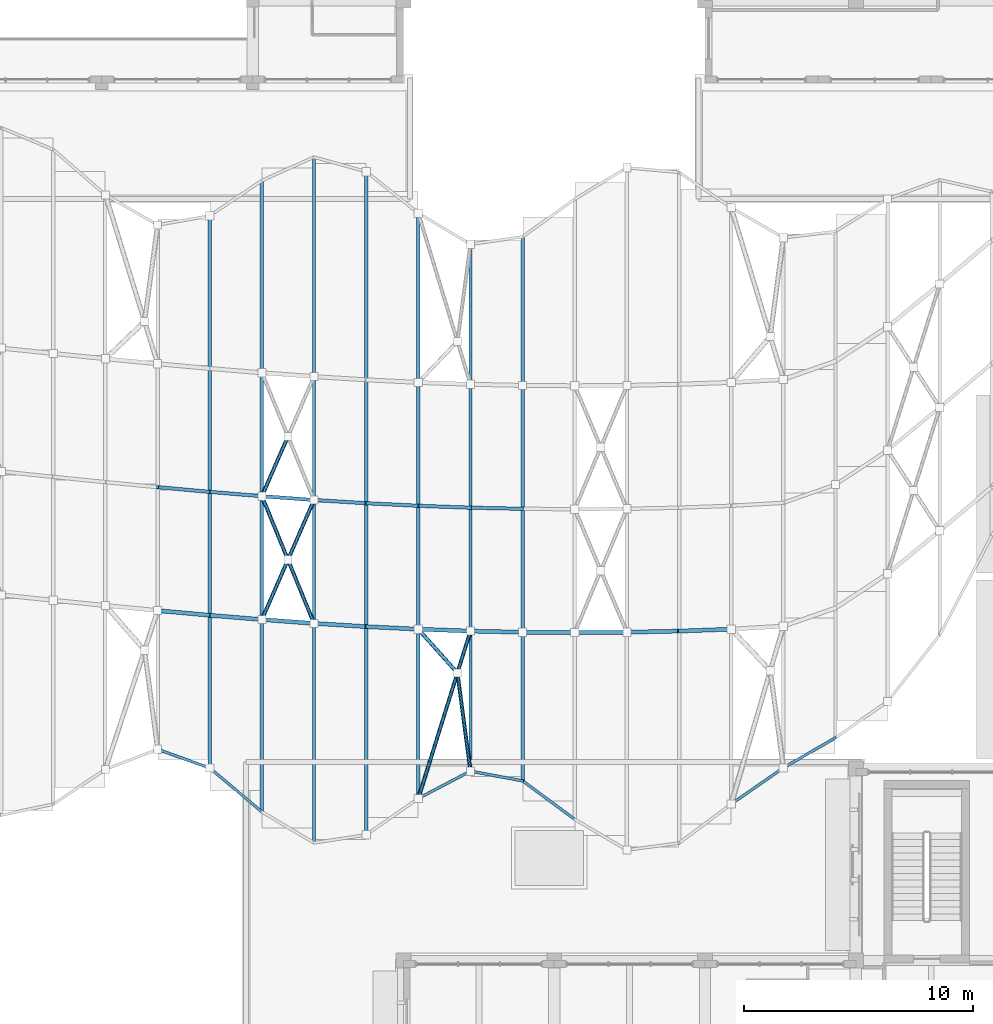
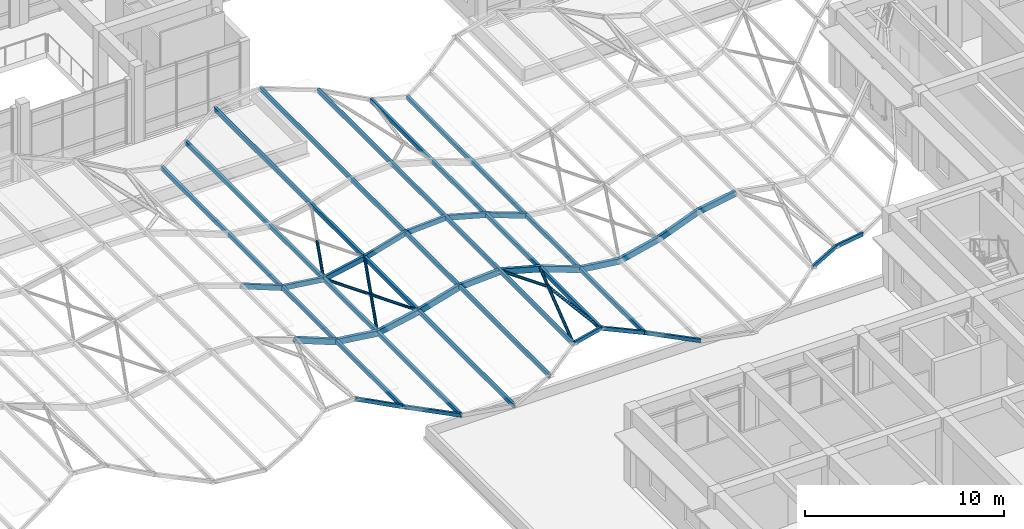
# One storey, part 16 of 79: 39 members.
"""IFC4 building model written with IfcOpenShell, lengths in metres."""

from ifc_helpers import new_model, si_unit, direction, frame, origin, origin_2d, place, context, subcontext, project, spatial, hollow_rectangle, hollow_circle, extrude, material, material_profile, profile_set, type_object, element, save


model = new_model("IFC4")

# Units and contexts
model_context = context("Model", 3, precision=1e-05, world=origin(), true_north=direction((0.0, 1.0)))
body_context = subcontext(model_context, "Body", "Model", "MODEL_VIEW")
ifc_project = project(units=[si_unit("LENGTHUNIT", "METRE"), si_unit("AREAUNIT", "SQUARE_METRE"), si_unit("VOLUMEUNIT", "CUBIC_METRE"), si_unit("PLANEANGLEUNIT", "RADIAN"), si_unit("MASSUNIT", "GRAM", prefix="KILO")], contexts=[model_context])

# Site, building, storey
site_placement = place(None, origin())
site = spatial("IfcSite", under=ifc_project, at=site_placement, CompositionType="ELEMENT")
building_placement = place(site_placement, origin())
building = spatial("IfcBuilding", under=site, at=building_placement, Name="Kolvaren Faculty of Natural Sciences", CompositionType="ELEMENT")
storey_placement = place(building_placement, frame((0.0, 0.0, 10.199951171875)))
storey = spatial("IfcBuildingStorey", under=building, at=storey_placement, Name="L02", CompositionType="ELEMENT", Elevation=10.199951171875)

# Members
ifc_material = material(Name="Structural steel EN 10210-1 S355J2H (white architectural finish)", Category="steel")
ifc_material_profile_1 = material_profile(ifc_material, hollow_circle(Radius=0.084228515625, WallThickness=0.008056640625, at=origin_2d()), Name="CHS 168.3x8")
ifc_profile_set_1 = profile_set([ifc_material_profile_1], Name="Structural steel EN 10210-1 S355J2H (white architectural finish)")
member_type_1 = type_object("IfcMemberType", Name="CanopyGridCrossBrace_CHS168", PredefinedType="BRACE", material=ifc_profile_set_1)
member_1_placement = place(storey_placement, frame((99.609130859375, 48.719482421875, 2.417724609375), z_axis=(0.397364040396, 0.911394775296, 0.107057848675), x_axis=(-0.916663027164, 0.399660974616, 0.0)))
element("IfcMember", 1, at=member_1_placement, inside=storey, type_object=member_type_1, Name="Canopy X-brace continuous diagonal S2-28-A", PredefinedType="BRACE", context=body_context, shape_type="SweptSolid", body=[
    extrude(hollow_circle(Radius=0.084228515625, WallThickness=0.008056640625, at=origin_2d()), origin(), (0.0, 0.0, 1.0), 5.7421875),
])
for number, where, z_axis, x_axis, name in (
    (2, (99.609130859375, 54.119384765625, 2.417724609375), (0.377318907826, -0.920486956819, 0.1016572876), (0.92528039128, 0.379283795478, 0.0), "Canopy X-brace split diagonal S2-28-B1"),
    (3, (100.75, 51.336181640625, 2.72509765625), (0.377318907826, -0.920486956819, 0.1016572876), (0.92528039128, 0.379283795478, 0.0), "Canopy X-brace split diagonal S2-28-B2"),
):
    element("IfcMember", number, at=place(storey_placement, frame(where, z_axis=z_axis, x_axis=x_axis)), inside=storey, type_object=member_type_1, Name=name, PredefinedType="BRACE", context=body_context, shape_type="SweptSolid", body=[
        extrude(hollow_circle(Radius=0.084228515625, WallThickness=0.008056640625, at=origin_2d()), origin(), (0.0, 0.0, 1.0), 3.023681640625),
    ])
member_2_placement = place(storey_placement, frame((99.609130859375, 54.119384765625, 2.417724609375), z_axis=(0.397364040396, 0.911394775296, 0.107057848675), x_axis=(-0.916663027164, 0.399660974616, 0.0)))
element("IfcMember", 4, at=member_2_placement, inside=storey, type_object=member_type_1, Name="Canopy X-brace split diagonal N2-28-B1", PredefinedType="BRACE", context=body_context, shape_type="SweptSolid", body=[
    extrude(hollow_circle(Radius=0.084228515625, WallThickness=0.008056640625, at=origin_2d()), origin(), (0.0, 0.0, 1.0), 2.87109375),
])
member_3_placement = place(storey_placement, frame((106.45458984375, 40.892333984375, 4.048828125), z_axis=(0.296594659929, 0.952079648248, -0.074672291335), x_axis=(-0.954745175357, 0.297425032795, 0.0)))
element("IfcMember", 5, at=member_3_placement, inside=storey, type_object=member_type_1, Name="Canopy X-brace continuous diagonal S1-31-A", PredefinedType="BRACE", context=body_context, shape_type="SweptSolid", body=[
    extrude(hollow_circle(Radius=0.084228515625, WallThickness=0.008056640625, at=origin_2d()), origin(), (0.0, 0.0, 1.0), 7.693115234375),
])
member_4_placement = place(storey_placement, frame((106.45458984375, 48.299072265625, 4.048828125), z_axis=(0.657497931249, -0.735065804165, -0.165453117079), x_axis=(0.745338312794, 0.666686432651, 0.0)))
element("IfcMember", 6, at=member_4_placement, inside=storey, type_object=member_type_1, Name="Canopy X-brace split diagonal S1-31-B1", PredefinedType="BRACE", context=body_context, shape_type="SweptSolid", body=[
    extrude(hollow_circle(Radius=0.084228515625, WallThickness=0.008056640625, at=origin_2d()), origin(), (0.0, 0.0, 1.0), 2.60302734375),
])
member_5_placement = place(storey_placement, frame((108.166015625, 46.3857421875, 3.6181640625), z_axis=(0.13146439429, -0.990766550293, -0.033147486403), x_axis=(0.991311304522, 0.131536677499, 0.0)))
element("IfcMember", 7, at=member_5_placement, inside=storey, type_object=member_type_1, Name="Canopy X-brace split diagonal S1-31-B2", PredefinedType="BRACE", context=body_context, shape_type="SweptSolid", body=[
    extrude(hollow_circle(Radius=0.084228515625, WallThickness=0.008056640625, at=origin_2d()), origin(), (0.0, 0.0, 1.0), 4.338134765625),
])
ifc_material_profile_2 = material_profile(ifc_material, hollow_rectangle(XDim=0.14990234375, YDim=0.300048828125, WallThickness=0.010009765625, at=origin_2d()), Name="RHS 300x150x10")
ifc_profile_set_2 = profile_set([ifc_material_profile_2], Name="Structural steel EN 10210-1 S355J2H (white architectural finish)")
member_type_2 = type_object("IfcMemberType", Name="CanopyRidgeChord_RHS300", PredefinedType="PURLIN", material=ifc_profile_set_2)
member_6_placement = place(storey_placement, frame((95.04541015625, 54.5146484375, 3.334716796875), z_axis=(0.94260283035, -0.085416133231, -0.322806425586), x_axis=(0.090247534243, 0.995919365493, 0.0)))
element("IfcMember", 8, at=member_6_placement, inside=storey, type_object=member_type_2, Name="Covered street wave canopy ridge chord 26", PredefinedType="PURLIN", context=body_context, shape_type="SweptSolid", body=[
    extrude(hollow_rectangle(XDim=0.14990234375, YDim=0.300048828125, WallThickness=0.010009765625, at=origin_2d()), origin(), (0.0, 0.0, 1.0), 2.4208984375),
])
member_7_placement = place(storey_placement, frame((97.327392578125, 54.307861328125, 2.55322265625), z_axis=(0.99416897444, -0.082120527313, -0.069887547208), x_axis=(0.082321814352, 0.996605799141, 0.0)))
element("IfcMember", 9, at=member_7_placement, inside=storey, type_object=member_type_2, Name="Covered street wave canopy ridge chord 27", PredefinedType="PURLIN", context=body_context, shape_type="SweptSolid", body=[
    extrude(hollow_rectangle(XDim=0.14990234375, YDim=0.300048828125, WallThickness=0.010009765625, at=origin_2d()), origin(), (0.0, 0.0, 1.0), 2.295166015625),
])
member_8_placement = place(storey_placement, frame((99.609130859375, 54.119384765625, 2.392822265625), z_axis=(0.963181909793, -0.0702856904, 0.259500540216), x_axis=(0.072778879193, 0.997348101088, 0.0)))
element("IfcMember", 10, at=member_8_placement, inside=storey, type_object=member_type_2, Name="Covered street wave canopy ridge chord 28", PredefinedType="PURLIN", context=body_context, shape_type="SweptSolid", body=[
    extrude(hollow_rectangle(XDim=0.14990234375, YDim=0.300048828125, WallThickness=0.010009765625, at=origin_2d()), origin(), (0.0, 0.0, 1.0), 2.368896484375),
])
member_9_placement = place(storey_placement, frame((101.890869140625, 53.952880859375, 3.007568359375), z_axis=(0.942137719081, -0.058165361, 0.330141347099), x_axis=(0.061620319415, 0.998099662476, 0.0)))
element("IfcMember", 11, at=member_9_placement, inside=storey, type_object=member_type_2, Name="Covered street wave canopy ridge chord 29", PredefinedType="PURLIN", context=body_context, shape_type="SweptSolid", body=[
    extrude(hollow_rectangle(XDim=0.14990234375, YDim=0.300048828125, WallThickness=0.010009765625, at=origin_2d()), origin(), (0.0, 0.0, 1.0), 2.421875),
])
member_10_placement = place(storey_placement, frame((104.172607421875, 53.81201171875, 3.80712890625), z_axis=(0.994314457559, -0.049146600983, 0.094463596695), x_axis=(0.049367356177, 0.998780688712, 0.0)))
element("IfcMember", 12, at=member_10_placement, inside=storey, type_object=member_type_2, Name="Covered street wave canopy ridge chord 30", PredefinedType="PURLIN", context=body_context, shape_type="SweptSolid", body=[
    extrude(hollow_rectangle(XDim=0.14990234375, YDim=0.300048828125, WallThickness=0.010009765625, at=origin_2d()), origin(), (0.0, 0.0, 1.0), 2.294921875),
])
member_11_placement = place(storey_placement, frame((106.45458984375, 53.69921875, 4.02392578125), z_axis=(0.969142510069, -0.035049236936, -0.243996610977), x_axis=(0.036141576907, 0.999346679796, 0.0)))
element("IfcMember", 13, at=member_11_placement, inside=storey, type_object=member_type_2, Name="Covered street wave canopy ridge chord 31", PredefinedType="PURLIN", context=body_context, shape_type="SweptSolid", body=[
    extrude(hollow_rectangle(XDim=0.14990234375, YDim=0.300048828125, WallThickness=0.010009765625, at=origin_2d()), origin(), (0.0, 0.0, 1.0), 2.3544921875),
])
member_12_placement = place(storey_placement, frame((108.736328125, 53.61669921875, 3.449462890625), z_axis=(0.941677401727, -0.02055228308, -0.335888783284), x_axis=(0.021819988318, 0.999761915713, 0.0)))
element("IfcMember", 14, at=member_12_placement, inside=storey, type_object=member_type_2, Name="Covered street wave canopy ridge chord 32", PredefinedType="PURLIN", context=body_context, shape_type="SweptSolid", body=[
    extrude(hollow_rectangle(XDim=0.14990234375, YDim=0.300048828125, WallThickness=0.010009765625, at=origin_2d()), origin(), (0.0, 0.0, 1.0), 2.42333984375),
])
ifc_material_profile_3 = material_profile(ifc_material, hollow_rectangle(XDim=0.175048828125, YDim=0.35009765625, WallThickness=0.012451171875, at=origin_2d()), Name="RHS 350x175x12.5")
ifc_profile_set_3 = profile_set([ifc_material_profile_3], Name="Structural steel EN 10210-1 S355J2H (white architectural finish)")
member_type_3 = type_object("IfcMemberType", Name="CanopySpineChord_RHS350", PredefinedType="PURLIN", material=ifc_profile_set_3)
member_13_placement = place(storey_placement, frame((95.04541015625, 49.114501953125, 3.309814453125), z_axis=(0.942580255907, -0.085313244517, -0.322899537757), x_axis=(0.090141850898, 0.99592893658, 0.0)))
element("IfcMember", 15, at=member_13_placement, inside=storey, type_object=member_type_3, Name="Covered street wave canopy s-spine chord 26", PredefinedType="PURLIN", context=body_context, shape_type="SweptSolid", body=[
    extrude(hollow_rectangle(XDim=0.175048828125, YDim=0.35009765625, WallThickness=0.012451171875, at=origin_2d()), origin(), (0.0, 0.0, 1.0), 2.4208984375),
])
member_14_placement = place(storey_placement, frame((97.327392578125, 48.907958984375, 2.528076171875), z_axis=(0.99416897444, -0.082120527313, -0.069887547208), x_axis=(0.082321814352, 0.996605799141, 0.0)))
element("IfcMember", 16, at=member_14_placement, inside=storey, type_object=member_type_3, Name="Covered street wave canopy s-spine chord 27", PredefinedType="PURLIN", context=body_context, shape_type="SweptSolid", body=[
    extrude(hollow_rectangle(XDim=0.175048828125, YDim=0.35009765625, WallThickness=0.012451171875, at=origin_2d()), origin(), (0.0, 0.0, 1.0), 2.295166015625),
])
member_15_placement = place(storey_placement, frame((99.609130859375, 48.719482421875, 2.36767578125), z_axis=(0.963156146704, -0.070283810406, 0.259596654563), x_axis=(0.072778879193, 0.997348101088, 0.0)))
element("IfcMember", 17, at=member_15_placement, inside=storey, type_object=member_type_3, Name="Covered street wave canopy s-spine chord 28", PredefinedType="PURLIN", context=body_context, shape_type="SweptSolid", body=[
    extrude(hollow_rectangle(XDim=0.175048828125, YDim=0.35009765625, WallThickness=0.012451171875, at=origin_2d()), origin(), (0.0, 0.0, 1.0), 2.369140625),
])
member_16_placement = place(storey_placement, frame((101.890869140625, 48.552978515625, 2.982666015625), z_axis=(0.942132190168, -0.058265825585, 0.330139409672), x_axis=(0.061726707173, 0.998093088655, 0.0)))
element("IfcMember", 18, at=member_16_placement, inside=storey, type_object=member_type_3, Name="Covered street wave canopy s-spine chord 29", PredefinedType="PURLIN", context=body_context, shape_type="SweptSolid", body=[
    extrude(hollow_rectangle(XDim=0.175048828125, YDim=0.35009765625, WallThickness=0.012451171875, at=origin_2d()), origin(), (0.0, 0.0, 1.0), 2.421875),
])
member_17_placement = place(storey_placement, frame((104.172607421875, 48.411865234375, 3.7822265625), z_axis=(0.994324443792, -0.049147094579, 0.094358166432), x_axis=(0.049367356177, 0.998780688712, 0.0)))
element("IfcMember", 19, at=member_17_placement, inside=storey, type_object=member_type_3, Name="Covered street wave canopy s-spine chord 30", PredefinedType="PURLIN", context=body_context, shape_type="SweptSolid", body=[
    extrude(hollow_rectangle(XDim=0.175048828125, YDim=0.35009765625, WallThickness=0.012451171875, at=origin_2d()), origin(), (0.0, 0.0, 1.0), 2.294921875),
])
member_18_placement = place(storey_placement, frame((106.45458984375, 48.299072265625, 3.998779296875), z_axis=(0.969170543903, -0.034946551818, -0.243899969961), x_axis=(0.036034788217, 0.999350536117, 0.0)))
element("IfcMember", 20, at=member_18_placement, inside=storey, type_object=member_type_3, Name="Covered street wave canopy s-spine chord 31", PredefinedType="PURLIN", context=body_context, shape_type="SweptSolid", body=[
    extrude(hollow_rectangle(XDim=0.175048828125, YDim=0.35009765625, WallThickness=0.012451171875, at=origin_2d()), origin(), (0.0, 0.0, 1.0), 2.354248046875),
])
member_19_placement = place(storey_placement, frame((108.736328125, 48.216796875, 3.424560546875), z_axis=(0.941675447145, -0.020652986698, -0.335888086101), x_axis=(0.021926897745, 0.999759576676, 0.0)))
element("IfcMember", 21, at=member_19_placement, inside=storey, type_object=member_type_3, Name="Covered street wave canopy s-spine chord 32", PredefinedType="PURLIN", context=body_context, shape_type="SweptSolid", body=[
    extrude(hollow_rectangle(XDim=0.175048828125, YDim=0.35009765625, WallThickness=0.012451171875, at=origin_2d()), origin(), (0.0, 0.0, 1.0), 2.42333984375),
])
member_20_placement = place(storey_placement, frame((111.018310546875, 48.166748046875, 2.610595703125), z_axis=(0.992956839852, -0.00733083907, -0.118249621523), x_axis=(0.00738263638, 0.999972747969, 0.0)))
element("IfcMember", 22, at=member_20_placement, inside=storey, type_object=member_type_3, Name="Covered street wave canopy s-spine chord 33", PredefinedType="PURLIN", context=body_context, shape_type="SweptSolid", body=[
    extrude(hollow_rectangle(XDim=0.175048828125, YDim=0.35009765625, WallThickness=0.012451171875, at=origin_2d()), origin(), (0.0, 0.0, 1.0), 2.2978515625),
])
member_21_placement = place(storey_placement, frame((113.300048828125, 48.14990234375, 2.3388671875), z_axis=(0.973948080995, 0.007190500491, 0.226657080694), x_axis=(-0.00738263638, 0.999972747969, 0.0)))
element("IfcMember", 23, at=member_21_placement, inside=storey, type_object=member_type_3, Name="Covered street wave canopy s-spine chord 34", PredefinedType="PURLIN", context=body_context, shape_type="SweptSolid", body=[
    extrude(hollow_rectangle(XDim=0.175048828125, YDim=0.35009765625, WallThickness=0.012451171875, at=origin_2d()), origin(), (0.0, 0.0, 1.0), 2.3427734375),
])
member_22_placement = place(storey_placement, frame((115.581787109375, 48.166748046875, 2.869873046875), z_axis=(0.940319886822, 0.020625462957, 0.339666160701), x_axis=(-0.021929242743, 0.999759525242, 0.0)))
element("IfcMember", 24, at=member_22_placement, inside=storey, type_object=member_type_3, Name="Covered street wave canopy s-spine chord 35", PredefinedType="PURLIN", context=body_context, shape_type="SweptSolid", body=[
    extrude(hollow_rectangle(XDim=0.175048828125, YDim=0.35009765625, WallThickness=0.012451171875, at=origin_2d()), origin(), (0.0, 0.0, 1.0), 2.426513671875),
])
member_23_placement = place(storey_placement, frame((117.863525390625, 48.216796875, 3.694091796875), z_axis=(0.989338557345, 0.035669957615, 0.141197992457), x_axis=(-0.036030937997, 0.999350674942, 0.0)))
element("IfcMember", 25, at=member_23_placement, inside=storey, type_object=member_type_3, Name="Covered street wave canopy s-spine chord 36", PredefinedType="PURLIN", context=body_context, shape_type="SweptSolid", body=[
    extrude(hollow_rectangle(XDim=0.175048828125, YDim=0.35009765625, WallThickness=0.012451171875, at=origin_2d()), origin(), (0.0, 0.0, 1.0), 2.306640625),
])
ifc_material_profile_4 = material_profile(ifc_material, hollow_rectangle(XDim=0.14990234375, YDim=0.25, WallThickness=0.010009765625, at=origin_2d()), Name="RHS 250x150x10")
ifc_profile_set_4 = profile_set([ifc_material_profile_4], Name="Structural steel EN 10210-1 S355J2H (white architectural finish)")
member_type_4 = type_object("IfcMemberType", Name="CanopyTransverseRafter_RHS250", PredefinedType="RAFTER", material=ifc_profile_set_4)
member_24_placement = place(storey_placement, frame((97.327392578125, 42.2255859375, 2.578125), z_axis=(0.0, 1.0, 0.0), x_axis=(-1.0, 0.0, 0.0)))
element("IfcMember", 26, at=member_24_placement, inside=storey, type_object=member_type_4, Name="Covered street canopy transverse rafter 27", PredefinedType="RAFTER", context=body_context, shape_type="SweptSolid", body=[
    extrude(hollow_rectangle(XDim=0.14990234375, YDim=0.25, WallThickness=0.010009765625, at=origin_2d()), origin(), (0.0, 0.0, 1.0), 24.164794921875),
])
member_25_placement = place(storey_placement, frame((99.609130859375, 40.306396484375, 2.417724609375), z_axis=(0.0, 1.0, 0.0), x_axis=(-1.0, 0.0, 0.0)))
element("IfcMember", 27, at=member_25_placement, inside=storey, type_object=member_type_4, Name="Covered street canopy transverse rafter 28", PredefinedType="RAFTER", context=body_context, shape_type="SweptSolid", body=[
    extrude(hollow_rectangle(XDim=0.14990234375, YDim=0.25, WallThickness=0.010009765625, at=origin_2d()), origin(), (0.0, 0.0, 1.0), 27.626220703125),
])
member_26_placement = place(storey_placement, frame((101.890869140625, 38.94970703125, 3.032470703125), z_axis=(0.0, 1.0, 0.0), x_axis=(-1.0, 0.0, 0.0)))
element("IfcMember", 28, at=member_26_placement, inside=storey, type_object=member_type_4, Name="Covered street canopy transverse rafter 29", PredefinedType="RAFTER", context=body_context, shape_type="SweptSolid", body=[
    extrude(hollow_rectangle(XDim=0.14990234375, YDim=0.25, WallThickness=0.010009765625, at=origin_2d()), origin(), (0.0, 0.0, 1.0), 30.006591796875),
])
member_27_placement = place(storey_placement, frame((104.172607421875, 39.302001953125, 3.83203125), z_axis=(0.0, 1.0, 0.0), x_axis=(-1.0, 0.0, 0.0)))
element("IfcMember", 29, at=member_27_placement, inside=storey, type_object=member_type_4, Name="Covered street canopy transverse rafter 30", PredefinedType="RAFTER", context=body_context, shape_type="SweptSolid", body=[
    extrude(hollow_rectangle(XDim=0.14990234375, YDim=0.25, WallThickness=0.010009765625, at=origin_2d()), origin(), (0.0, 0.0, 1.0), 29.019775390625),
])
member_28_placement = place(storey_placement, frame((106.45458984375, 40.892333984375, 4.048828125), z_axis=(0.0, 1.0, 0.0), x_axis=(-1.0, 0.0, 0.0)))
element("IfcMember", 30, at=member_28_placement, inside=storey, type_object=member_type_4, Name="Covered street canopy transverse rafter 31", PredefinedType="RAFTER", context=body_context, shape_type="SweptSolid", body=[
    extrude(hollow_rectangle(XDim=0.14990234375, YDim=0.25, WallThickness=0.010009765625, at=origin_2d()), origin(), (0.0, 0.0, 1.0), 25.613525390625),
])
member_29_placement = place(storey_placement, frame((108.736328125, 42.087646484375, 3.474365234375), z_axis=(0.0, 1.0, 0.0), x_axis=(-1.0, 0.0, 0.0)))
element("IfcMember", 31, at=member_29_placement, inside=storey, type_object=member_type_4, Name="Covered street canopy transverse rafter 32", PredefinedType="RAFTER", context=body_context, shape_type="SweptSolid", body=[
    extrude(hollow_rectangle(XDim=0.14990234375, YDim=0.25, WallThickness=0.010009765625, at=origin_2d()), origin(), (0.0, 0.0, 1.0), 23.058349609375),
])
member_30_placement = place(storey_placement, frame((111.018310546875, 41.66259765625, 2.66064453125), z_axis=(0.0, 1.0, 0.0), x_axis=(-1.0, 0.0, 0.0)))
element("IfcMember", 32, at=member_30_placement, inside=storey, type_object=member_type_4, Name="Covered street canopy transverse rafter 33", PredefinedType="RAFTER", context=body_context, shape_type="SweptSolid", body=[
    extrude(hollow_rectangle(XDim=0.14990234375, YDim=0.25, WallThickness=0.010009765625, at=origin_2d()), origin(), (0.0, 0.0, 1.0), 23.808349609375),
])
ifc_material_profile_5 = material_profile(ifc_material, hollow_rectangle(XDim=0.1201171875, YDim=0.219970703125, WallThickness=0.008056640625, at=origin_2d()), Name="RHS 220x120x8")
ifc_profile_set_5 = profile_set([ifc_material_profile_5], Name="Structural steel EN 10210-1 S355J2H (white architectural finish)")
member_type_5 = type_object("IfcMemberType", Name="CanopyWaveEdgeChord_RHS220", PredefinedType="RAFTER", material=ifc_profile_set_5)
member_31_placement = place(storey_placement, frame((95.04541015625, 43.0419921875, 3.374755859375), z_axis=(0.896122708864, -0.320598517004, -0.306888712001), x_axis=(0.336853232888, 0.941557167406, 0.0)))
element("IfcMember", 33, at=member_31_placement, inside=storey, type_object=member_type_5, Name="Covered street wave canopy s-wave chord 26", PredefinedType="RAFTER", context=body_context, shape_type="SweptSolid", body=[
    extrude(hollow_rectangle(XDim=0.1201171875, YDim=0.219970703125, WallThickness=0.008056640625, at=origin_2d()), origin(), (0.0, 0.0, 1.0), 2.54638671875),
])
member_32_placement = place(storey_placement, frame((97.327392578125, 42.2255859375, 2.59326171875), z_axis=(0.764181864413, -0.642759858351, -0.053720039045), x_axis=(0.64368932244, 0.765286911019, 0.0)))
element("IfcMember", 34, at=member_32_placement, inside=storey, type_object=member_type_5, Name="Covered street wave canopy s-wave chord 27", PredefinedType="RAFTER", context=body_context, shape_type="SweptSolid", body=[
    extrude(hollow_rectangle(XDim=0.1201171875, YDim=0.219970703125, WallThickness=0.008056640625, at=origin_2d()), origin(), (0.0, 0.0, 1.0), 2.98583984375),
])
member_33_placement = place(storey_placement, frame((106.45458984375, 40.892333984375, 4.06396484375), z_axis=(0.864573390382, 0.452915827018, -0.217669718336), x_axis=(-0.464042410278, 0.885812983345, 0.0)))
element("IfcMember", 35, at=member_33_placement, inside=storey, type_object=member_type_5, Name="Covered street wave canopy s-wave chord 31", PredefinedType="RAFTER", context=body_context, shape_type="SweptSolid", body=[
    extrude(hollow_rectangle(XDim=0.1201171875, YDim=0.219970703125, WallThickness=0.008056640625, at=origin_2d()), origin(), (0.0, 0.0, 1.0), 2.63916015625),
])
member_34_placement = place(storey_placement, frame((108.736328125, 42.087646484375, 3.489501953125), z_axis=(0.927708024085, -0.172797653785, -0.33090601822), x_axis=(0.183113593359, 0.983091761702, 0.0)))
element("IfcMember", 36, at=member_34_placement, inside=storey, type_object=member_type_5, Name="Covered street wave canopy s-wave chord 32", PredefinedType="RAFTER", context=body_context, shape_type="SweptSolid", body=[
    extrude(hollow_rectangle(XDim=0.1201171875, YDim=0.219970703125, WallThickness=0.008056640625, at=origin_2d()), origin(), (0.0, 0.0, 1.0), 2.459716796875),
])
member_35_placement = place(storey_placement, frame((111.018310546875, 41.66259765625, 2.675537109375), z_axis=(0.800915741715, -0.591131691242, -0.095379758242), x_axis=(0.593839028058, 0.80458387304, 0.0)))
element("IfcMember", 37, at=member_35_placement, inside=storey, type_object=member_type_5, Name="Covered street wave canopy s-wave chord 33", PredefinedType="RAFTER", context=body_context, shape_type="SweptSolid", body=[
    extrude(hollow_rectangle(XDim=0.1201171875, YDim=0.219970703125, WallThickness=0.008056640625, at=origin_2d()), origin(), (0.0, 0.0, 1.0), 2.848876953125),
])
member_36_placement = place(storey_placement, frame((120.1455078125, 40.64697265625, 4.0849609375), z_axis=(0.809309261963, 0.561563295937, -0.17223583587), x_axis=(-0.570082759195, 0.821587273313, 0.0)))
element("IfcMember", 38, at=member_36_placement, inside=storey, type_object=member_type_5, Name="Covered street wave canopy s-wave chord 37", PredefinedType="RAFTER", context=body_context, shape_type="SweptSolid", body=[
    extrude(hollow_rectangle(XDim=0.1201171875, YDim=0.219970703125, WallThickness=0.008056640625, at=origin_2d()), origin(), (0.0, 0.0, 1.0), 2.8193359375),
])
member_37_placement = place(storey_placement, frame((122.42724609375, 42.230224609375, 3.599365234375), z_axis=(0.825884843238, 0.477009028868, -0.300627031532), x_axis=(-0.500144837482, 0.865941765675, 0.0)))
element("IfcMember", 39, at=member_37_placement, inside=storey, type_object=member_type_5, Name="Covered street wave canopy s-wave chord 38", PredefinedType="RAFTER", context=body_context, shape_type="SweptSolid", body=[
    extrude(hollow_rectangle(XDim=0.1201171875, YDim=0.219970703125, WallThickness=0.008056640625, at=origin_2d()), origin(), (0.0, 0.0, 1.0), 2.7626953125),
])

save(model, "model.ifc")
